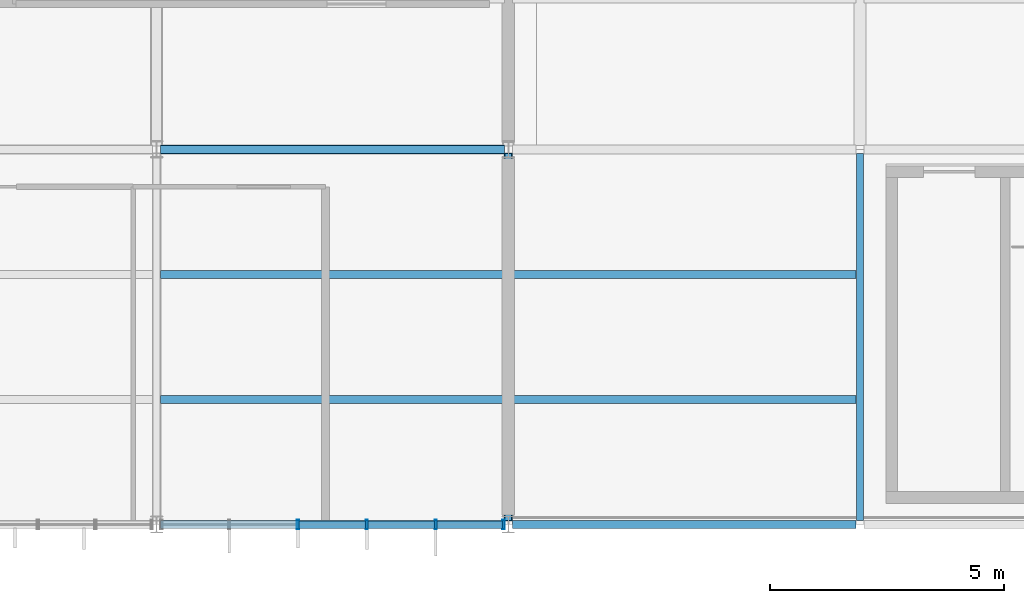
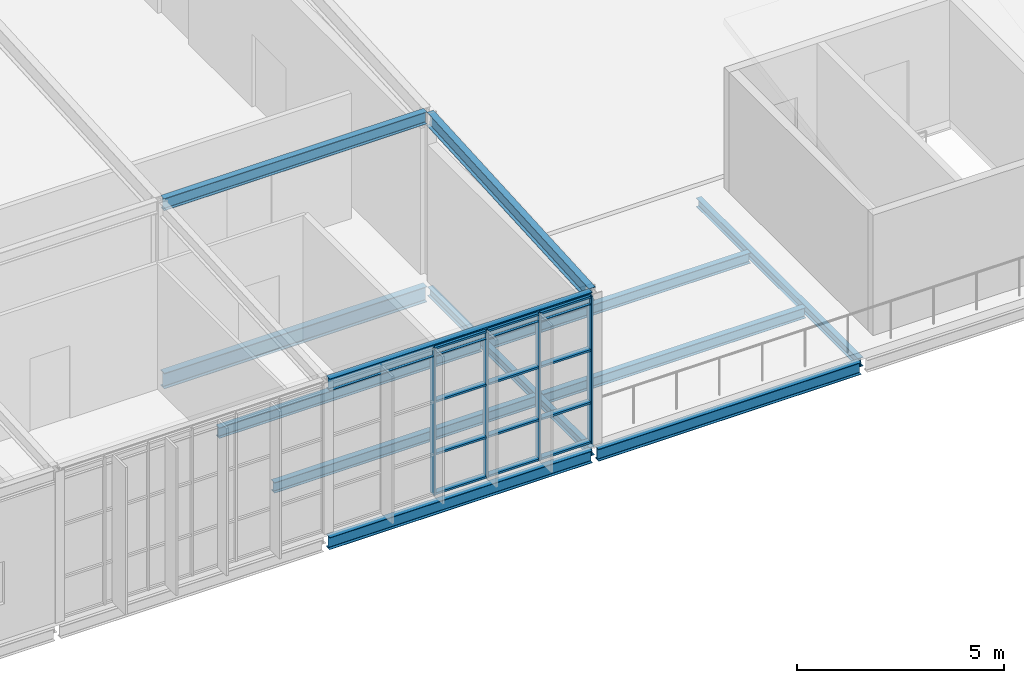
# One storey, part 25 of 104: 16 members, 12 beams, 1 element without a shape of its own.
"""IFC4 building model written with IfcOpenShell, lengths in metres."""

from ifc_helpers import new_model, si_unit, direction, frame, origin, origin_2d, place, context, subcontext, project, spatial, hollow_rectangle, i_section, extrude, material, layer, layer_set, material_profile, profile_set, type_object, element, aggregate, save


model = new_model("IFC4")

# Units and contexts
model_context = context("Model", 3, precision=1e-05, world=origin(), true_north=direction((0.0, 1.0)))
body_context = subcontext(model_context, "Body", "Model", "MODEL_VIEW")
ifc_project = project(units=[si_unit("LENGTHUNIT", "METRE"), si_unit("AREAUNIT", "SQUARE_METRE"), si_unit("VOLUMEUNIT", "CUBIC_METRE"), si_unit("PLANEANGLEUNIT", "RADIAN"), si_unit("MASSUNIT", "GRAM", prefix="KILO")], contexts=[model_context])

# Site, building, storey
site_placement = place(None, origin())
site = spatial("IfcSite", under=ifc_project, at=site_placement, CompositionType="ELEMENT")
building_placement = place(site_placement, origin())
building = spatial("IfcBuilding", under=site, at=building_placement, Name="Solvenia Promenade Tram Depot", CompositionType="ELEMENT")
storey_placement = place(building_placement, frame((0.0, 0.0, 9.0)))
storey = spatial("IfcBuildingStorey", under=building, at=storey_placement, Name="L02", CompositionType="ELEMENT", Elevation=9.0)

# Beams
ifc_material_1 = material(Name="Structural steel ASTM A992 Gr. 50", Category="steel")
ifc_material_profile_1 = material_profile(ifc_material_1, i_section(OverallWidth=0.178955078125, OverallDepth=0.409912109375, WebThickness=0.0087890625, FlangeThickness=0.014404296875, FilletRadius=0.011962890625, at=origin_2d()), Name="W410x67", Category="steel")
ifc_profile_set_1 = profile_set([ifc_material_profile_1], Name="Structural steel ASTM A992 Gr. 50")
beam_type_1 = type_object("IfcBeamType", Name="Beam-W410x67", PredefinedType="BEAM", material=ifc_profile_set_1)
beam_1_placement = place(storey_placement, frame((52.5, 0.0849609375, 4.2548828125), z_axis=(0.0, 0.998227697106, 0.059510206937), x_axis=(-1.0, 0.0, 0.0)))
element("IfcBeam", 1, at=beam_1_placement, inside=storey, type_object=beam_type_1, Name="Folded Wing Roof Rafter BM-L02-0856", PredefinedType="BEAM", context=body_context, shape_type="SweptSolid", body=[
    extrude(i_section(OverallWidth=0.178955078125, OverallDepth=0.409912109375, WebThickness=0.0087890625, FlangeThickness=0.014404296875, FilletRadius=0.011962890625, at=origin_2d()), origin(), (0.0, 0.0, 1.0), 7.843994140625),
])
ifc_material_profile_2 = material_profile(ifc_material_1, i_section(OverallWidth=0.19091796875, OverallDepth=0.4599609375, WebThickness=0.010009765625, FlangeThickness=0.01611328125, FilletRadius=0.012939453125, at=origin_2d()), Name="W460x82", Category="steel")
ifc_profile_set_2 = profile_set([ifc_material_profile_2], Name="Structural steel ASTM A992 Gr. 50")
beam_type_2 = type_object("IfcBeamType", Name="Beam-W460x82", PredefinedType="BEAM", material=ifc_profile_set_2)
beam_2_placement = place(storey_placement, frame((45.0849609375, 8.0, -0.449951171875), z_axis=(1.0, 0.0, 0.0), x_axis=(0.0, 1.0, 0.0)))
element("IfcBeam", 2, at=beam_2_placement, inside=storey, type_object=beam_type_2, Name="Primary Girder BM-L02-0535", PredefinedType="BEAM", context=body_context, shape_type="SweptSolid", body=[
    extrude(i_section(OverallWidth=0.19091796875, OverallDepth=0.4599609375, WebThickness=0.010009765625, FlangeThickness=0.01611328125, FilletRadius=0.012939453125, at=origin_2d()), origin(), (0.0, 0.0, 1.0), 7.330078125),
])

# Curtain wall, members
ifc_material_2 = material(Name="Anodized aluminium AW-6063 T6", Category="aluminium")
ifc_layer = layer(ifc_material_2, 0.179931640625, Name="Anodized aluminium AW-6063 T6", Category="aluminium")
ifc_layer_set = layer_set([ifc_layer], Name="Anodized aluminium AW-6063 T6")
curtain_wall_type = type_object("IfcCurtainWallType", Name="CW-Solar-1500", PredefinedType="NOTDEFINED", material=ifc_layer_set)
curtain_wall_placement = place(storey_placement, origin())
curtain_wall = element("IfcCurtainWall", 3, at=curtain_wall_placement, inside=storey, type_object=curtain_wall_type, Name="Curtain Wall CW-V4S-L02-06", PredefinedType="NOTDEFINED")
ifc_material_profile_3 = material_profile(ifc_material_2, hollow_rectangle(XDim=0.199951171875, YDim=0.048095703125, WallThickness=0.00390625, at=origin_2d()), Name="ALU-M3", Category="aluminium")
ifc_profile_set_3 = profile_set([ifc_material_profile_3], Name="Anodized aluminium AW-6063 T6")
member_type_1 = type_object("IfcMemberType", Name="CWM-Mullion-3", PredefinedType="MULLION", material=ifc_profile_set_3)
member_1_placement = place(storey_placement, frame((48.01611328125, 0.0, 0.0), z_axis=(0.0, 0.0, 1.0), x_axis=(0.0, 1.0, 0.0)))
member_1 = element("IfcMember", 4, at=member_1_placement, type_object=member_type_1, Name="CW-7 mullion 3", PredefinedType="MULLION", context=body_context, shape_type="SweptSolid", body=[
    extrude(hollow_rectangle(XDim=0.199951171875, YDim=0.048095703125, WallThickness=0.00390625, at=origin_2d()), origin(), (0.0, 0.0, 1.0), 4.35009765625),
])
member_2_placement = place(storey_placement, frame((49.48388671875, 0.0, 0.0), z_axis=(0.0, 0.0, 1.0), x_axis=(0.0, 1.0, 0.0)))
member_2 = element("IfcMember", 5, at=member_2_placement, type_object=member_type_1, Name="CW-7 mullion 4", PredefinedType="MULLION", context=body_context, shape_type="SweptSolid", body=[
    extrude(hollow_rectangle(XDim=0.199951171875, YDim=0.048095703125, WallThickness=0.00390625, at=origin_2d()), origin(), (0.0, 0.0, 1.0), 4.35009765625),
])
member_3_placement = place(storey_placement, frame((50.951904296875, 0.0, 0.0), z_axis=(0.0, 0.0, 1.0), x_axis=(0.0, 1.0, 0.0)))
member_3 = element("IfcMember", 6, at=member_3_placement, type_object=member_type_1, Name="CW-7 mullion 5", PredefinedType="MULLION", context=body_context, shape_type="SweptSolid", body=[
    extrude(hollow_rectangle(XDim=0.199951171875, YDim=0.048095703125, WallThickness=0.00390625, at=origin_2d()), origin(), (0.0, 0.0, 1.0), 4.35009765625),
])
member_4_placement = place(storey_placement, frame((52.39599609375, 0.0, 0.0), z_axis=(0.0, 0.0, 1.0), x_axis=(0.0, 1.0, 0.0)))
member_4 = element("IfcMember", 7, at=member_4_placement, type_object=member_type_1, Name="CW-7 mullion 6", PredefinedType="MULLION", context=body_context, shape_type="SweptSolid", body=[
    extrude(hollow_rectangle(XDim=0.199951171875, YDim=0.048095703125, WallThickness=0.00390625, at=origin_2d()), origin(), (0.0, 0.0, 1.0), 4.35009765625),
])
ifc_material_profile_4 = material_profile(ifc_material_2, hollow_rectangle(XDim=0.159912109375, YDim=0.05810546875, WallThickness=0.00390625, at=origin_2d()), Name="ALU-T3", Category="aluminium")
ifc_profile_set_4 = profile_set([ifc_material_profile_4], Name="Anodized aluminium AW-6063 T6")
member_type_2 = type_object("IfcMemberType", Name="CWT-Transom-3", PredefinedType="USERDEFINED", material=ifc_profile_set_4)
member_5_placement = place(storey_placement, frame((48.0400390625, 0.0, 0.029052734375), z_axis=(1.0, 0.0, 0.0), x_axis=(0.0, 1.0, 0.0)))
member_5 = element("IfcMember", 8, at=member_5_placement, type_object=member_type_2, Name="CW-7 transom 3.1", ObjectType="TRANSOM", PredefinedType="USERDEFINED", context=body_context, shape_type="SweptSolid", body=[
    extrude(hollow_rectangle(XDim=0.159912109375, YDim=0.05810546875, WallThickness=0.00390625, at=origin_2d()), origin(), (0.0, 0.0, 1.0), 1.419921875),
])
member_6_placement = place(storey_placement, frame((48.0400390625, 0.0, 1.199951171875), z_axis=(1.0, 0.0, 0.0), x_axis=(0.0, 1.0, 0.0)))
member_6 = element("IfcMember", 9, at=member_6_placement, type_object=member_type_2, Name="CW-7 transom 3.2", ObjectType="TRANSOM", PredefinedType="USERDEFINED", context=body_context, shape_type="SweptSolid", body=[
    extrude(hollow_rectangle(XDim=0.159912109375, YDim=0.05810546875, WallThickness=0.00390625, at=origin_2d()), origin(), (0.0, 0.0, 1.0), 1.419921875),
])
member_7_placement = place(storey_placement, frame((48.0400390625, 0.0, 2.75), z_axis=(1.0, 0.0, 0.0), x_axis=(0.0, 1.0, 0.0)))
member_7 = element("IfcMember", 10, at=member_7_placement, type_object=member_type_2, Name="CW-7 transom 3.3", ObjectType="TRANSOM", PredefinedType="USERDEFINED", context=body_context, shape_type="SweptSolid", body=[
    extrude(hollow_rectangle(XDim=0.159912109375, YDim=0.05810546875, WallThickness=0.00390625, at=origin_2d()), origin(), (0.0, 0.0, 1.0), 1.419921875),
])
member_8_placement = place(storey_placement, frame((48.0400390625, 0.0, 4.321044921875), z_axis=(1.0, 0.0, 0.0), x_axis=(0.0, 1.0, 0.0)))
member_8 = element("IfcMember", 11, at=member_8_placement, type_object=member_type_2, Name="CW-7 transom 3.4", ObjectType="TRANSOM", PredefinedType="USERDEFINED", context=body_context, shape_type="SweptSolid", body=[
    extrude(hollow_rectangle(XDim=0.159912109375, YDim=0.05810546875, WallThickness=0.00390625, at=origin_2d()), origin(), (0.0, 0.0, 1.0), 1.419921875),
])
member_9_placement = place(storey_placement, frame((49.508056640625, 0.0, 0.029052734375), z_axis=(1.0, 0.0, 0.0), x_axis=(0.0, 1.0, 0.0)))
member_9 = element("IfcMember", 12, at=member_9_placement, type_object=member_type_2, Name="CW-7 transom 4.1", ObjectType="TRANSOM", PredefinedType="USERDEFINED", context=body_context, shape_type="SweptSolid", body=[
    extrude(hollow_rectangle(XDim=0.159912109375, YDim=0.05810546875, WallThickness=0.00390625, at=origin_2d()), origin(), (0.0, 0.0, 1.0), 1.419921875),
])
member_10_placement = place(storey_placement, frame((49.508056640625, 0.0, 1.199951171875), z_axis=(1.0, 0.0, 0.0), x_axis=(0.0, 1.0, 0.0)))
member_10 = element("IfcMember", 13, at=member_10_placement, type_object=member_type_2, Name="CW-7 transom 4.2", ObjectType="TRANSOM", PredefinedType="USERDEFINED", context=body_context, shape_type="SweptSolid", body=[
    extrude(hollow_rectangle(XDim=0.159912109375, YDim=0.05810546875, WallThickness=0.00390625, at=origin_2d()), origin(), (0.0, 0.0, 1.0), 1.419921875),
])
member_11_placement = place(storey_placement, frame((49.508056640625, 0.0, 2.75), z_axis=(1.0, 0.0, 0.0), x_axis=(0.0, 1.0, 0.0)))
member_11 = element("IfcMember", 14, at=member_11_placement, type_object=member_type_2, Name="CW-7 transom 4.3", ObjectType="TRANSOM", PredefinedType="USERDEFINED", context=body_context, shape_type="SweptSolid", body=[
    extrude(hollow_rectangle(XDim=0.159912109375, YDim=0.05810546875, WallThickness=0.00390625, at=origin_2d()), origin(), (0.0, 0.0, 1.0), 1.419921875),
])
member_12_placement = place(storey_placement, frame((49.508056640625, 0.0, 4.321044921875), z_axis=(1.0, 0.0, 0.0), x_axis=(0.0, 1.0, 0.0)))
member_12 = element("IfcMember", 15, at=member_12_placement, type_object=member_type_2, Name="CW-7 transom 4.4", ObjectType="TRANSOM", PredefinedType="USERDEFINED", context=body_context, shape_type="SweptSolid", body=[
    extrude(hollow_rectangle(XDim=0.159912109375, YDim=0.05810546875, WallThickness=0.00390625, at=origin_2d()), origin(), (0.0, 0.0, 1.0), 1.419921875),
])
member_13_placement = place(storey_placement, frame((50.97607421875, 0.0, 0.029052734375), z_axis=(1.0, 0.0, 0.0), x_axis=(0.0, 1.0, 0.0)))
member_13 = element("IfcMember", 16, at=member_13_placement, type_object=member_type_2, Name="CW-7 transom 5.1", ObjectType="TRANSOM", PredefinedType="USERDEFINED", context=body_context, shape_type="SweptSolid", body=[
    extrude(hollow_rectangle(XDim=0.159912109375, YDim=0.05810546875, WallThickness=0.00390625, at=origin_2d()), origin(), (0.0, 0.0, 1.0), 1.39599609375),
])
member_14_placement = place(storey_placement, frame((50.97607421875, 0.0, 1.199951171875), z_axis=(1.0, 0.0, 0.0), x_axis=(0.0, 1.0, 0.0)))
member_14 = element("IfcMember", 17, at=member_14_placement, type_object=member_type_2, Name="CW-7 transom 5.2", ObjectType="TRANSOM", PredefinedType="USERDEFINED", context=body_context, shape_type="SweptSolid", body=[
    extrude(hollow_rectangle(XDim=0.159912109375, YDim=0.05810546875, WallThickness=0.00390625, at=origin_2d()), origin(), (0.0, 0.0, 1.0), 1.39599609375),
])
member_15_placement = place(storey_placement, frame((50.97607421875, 0.0, 2.75), z_axis=(1.0, 0.0, 0.0), x_axis=(0.0, 1.0, 0.0)))
member_15 = element("IfcMember", 18, at=member_15_placement, type_object=member_type_2, Name="CW-7 transom 5.3", ObjectType="TRANSOM", PredefinedType="USERDEFINED", context=body_context, shape_type="SweptSolid", body=[
    extrude(hollow_rectangle(XDim=0.159912109375, YDim=0.05810546875, WallThickness=0.00390625, at=origin_2d()), origin(), (0.0, 0.0, 1.0), 1.39599609375),
])
member_16_placement = place(storey_placement, frame((50.97607421875, 0.0, 4.321044921875), z_axis=(1.0, 0.0, 0.0), x_axis=(0.0, 1.0, 0.0)))
member_16 = element("IfcMember", 19, at=member_16_placement, type_object=member_type_2, Name="CW-7 transom 5.4", ObjectType="TRANSOM", PredefinedType="USERDEFINED", context=body_context, shape_type="SweptSolid", body=[
    extrude(hollow_rectangle(XDim=0.159912109375, YDim=0.05810546875, WallThickness=0.00390625, at=origin_2d()), origin(), (0.0, 0.0, 1.0), 1.39599609375),
])
aggregate(curtain_wall, [member_1, member_2, member_3, member_4, member_5, member_6, member_7, member_8, member_9, member_10, member_11, member_12, member_13, member_14, member_15, member_16])

# Beams
ifc_material_profile_5 = material_profile(ifc_material_1, i_section(OverallWidth=0.14697265625, OverallDepth=0.261962890625, WebThickness=0.006591796875, FlangeThickness=0.01123046875, FilletRadius=0.010009765625, at=origin_2d()), Name="W250x39", Category="steel")
ifc_profile_set_5 = profile_set([ifc_material_profile_5], Name="Structural steel ASTM A992 Gr. 50")
beam_type_3 = type_object("IfcBeamType", Name="Joist-W250x39", PredefinedType="JOIST", material=ifc_profile_set_5)
for number, where, z_axis, x_axis, name in (
    (20, (52.5, 0.0849609375, -0.37109375), (0.0, 1.0, 0.0), (-1.0, 0.0, 0.0), "Transverse Girder BM-L02-0556"),
    (21, (60.0, 0.0849609375, -0.37109375), (0.0, 1.0, 0.0), (-1.0, 0.0, 0.0), "Transverse Girder BM-L02-0755"),
):
    element("IfcBeam", number, at=place(storey_placement, frame(where, z_axis=z_axis, x_axis=x_axis)), inside=storey, type_object=beam_type_3, Name=name, PredefinedType="JOIST", context=body_context, shape_type="SweptSolid", body=[
        extrude(i_section(OverallWidth=0.14697265625, OverallDepth=0.261962890625, WebThickness=0.006591796875, FlangeThickness=0.01123046875, FilletRadius=0.010009765625, at=origin_2d()), origin(), (0.0, 0.0, 1.0), 7.830078125),
    ])
ifc_material_profile_6 = material_profile(ifc_material_1, i_section(OverallWidth=0.166015625, OverallDepth=0.31298828125, WebThickness=0.006591796875, FlangeThickness=0.01123046875, FilletRadius=0.010009765625, at=origin_2d()), Name="W310x45", Category="steel")
ifc_profile_set_6 = profile_set([ifc_material_profile_6], Name="Structural steel ASTM A992 Gr. 50")
beam_type_4 = type_object("IfcBeamType", Name="Joist-W310x45", PredefinedType="JOIST", material=ifc_profile_set_6)
for number, where, z_axis, x_axis, name in (
    (22, (45.0849609375, 2.666748046875, -0.37646484375), (1.0, 0.0, 0.0), (0.0, 1.0, 0.0), "Secondary Floor Joist BM-L02-0589"),
    (23, (45.0849609375, 5.333251953125, -0.37646484375), (1.0, 0.0, 0.0), (0.0, 1.0, 0.0), "Secondary Floor Joist BM-L02-0590"),
    (24, (52.5849609375, 2.666748046875, -0.396484375), (1.0, 0.0, 0.0), (0.0, 1.0, 0.0), "Secondary Floor Joist BM-L02-0765"),
    (25, (52.5849609375, 5.333251953125, -0.396484375), (1.0, 0.0, 0.0), (0.0, 1.0, 0.0), "Secondary Floor Joist BM-L02-0766"),
):
    element("IfcBeam", number, at=place(storey_placement, frame(where, z_axis=z_axis, x_axis=x_axis)), inside=storey, type_object=beam_type_4, Name=name, PredefinedType="JOIST", context=body_context, shape_type="SweptSolid", body=[
        extrude(i_section(OverallWidth=0.166015625, OverallDepth=0.31298828125, WebThickness=0.006591796875, FlangeThickness=0.01123046875, FilletRadius=0.010009765625, at=origin_2d()), origin(), (0.0, 0.0, 1.0), 7.330078125),
    ])
ifc_material_profile_7 = material_profile(ifc_material_1, i_section(OverallWidth=0.172119140625, OverallDepth=0.35791015625, WebThickness=0.0078125, FlangeThickness=0.01318359375, FilletRadius=0.010986328125, at=origin_2d()), Name="W360x57", Category="steel")
ifc_profile_set_7 = profile_set([ifc_material_profile_7], Name="Structural steel ASTM A992 Gr. 50")
beam_type_5 = type_object("IfcBeamType", Name="Spandrel-W360x57", PredefinedType="SPANDREL", material=ifc_profile_set_7)
for number, where, z_axis, x_axis, name in (
    (26, (45.0849609375, 0.0, -0.39892578125), (1.0, 0.0, 0.0), (0.0, 1.0, 0.0), "Perimeter Spandrel BM-L02-0528"),
    (27, (52.5849609375, 0.0, -0.4189453125), (1.0, 0.0, 0.0), (0.0, 1.0, 0.0), "Perimeter Spandrel BM-L02-0741"),
    (28, (45.0849609375, 0.0, 4.281005859375), (1.0, 0.0, 0.0), (0.0, 1.0, 0.0), "Folded Wing Roof Eave Beam BM-L02-0876"),
    (29, (45.0849609375, 8.0, 4.747802734375), (1.0, 0.0, 0.0), (0.0, 1.0, 0.0), "Folded Wing Roof Eave Beam BM-L02-0877"),
):
    element("IfcBeam", number, at=place(storey_placement, frame(where, z_axis=z_axis, x_axis=x_axis)), inside=storey, type_object=beam_type_5, Name=name, PredefinedType="SPANDREL", context=body_context, shape_type="SweptSolid", body=[
        extrude(i_section(OverallWidth=0.172119140625, OverallDepth=0.35791015625, WebThickness=0.0078125, FlangeThickness=0.01318359375, FilletRadius=0.010986328125, at=origin_2d()), origin(), (0.0, 0.0, 1.0), 7.330078125),
    ])

save(model, "model.ifc")
